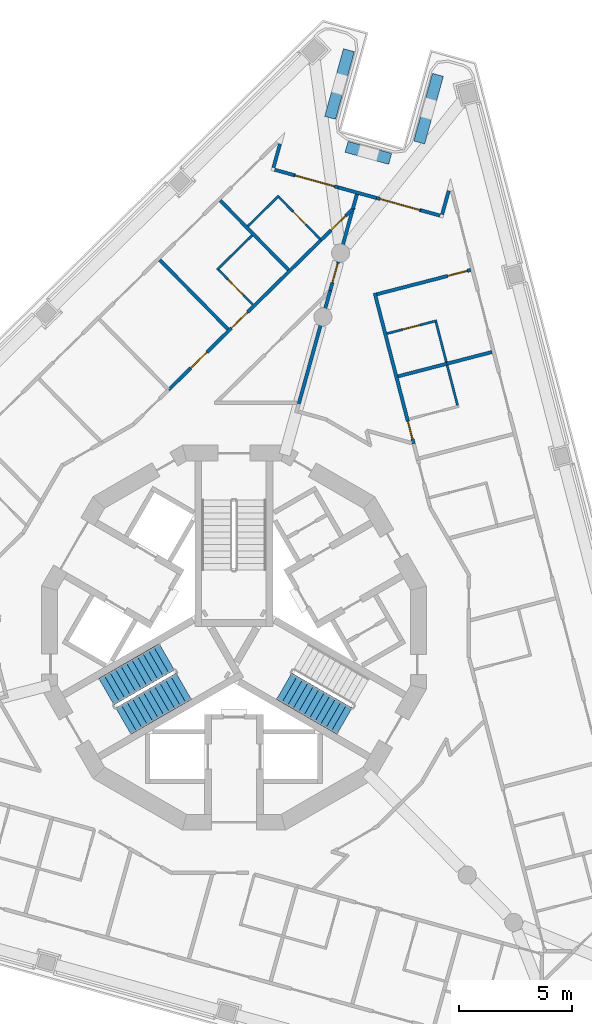
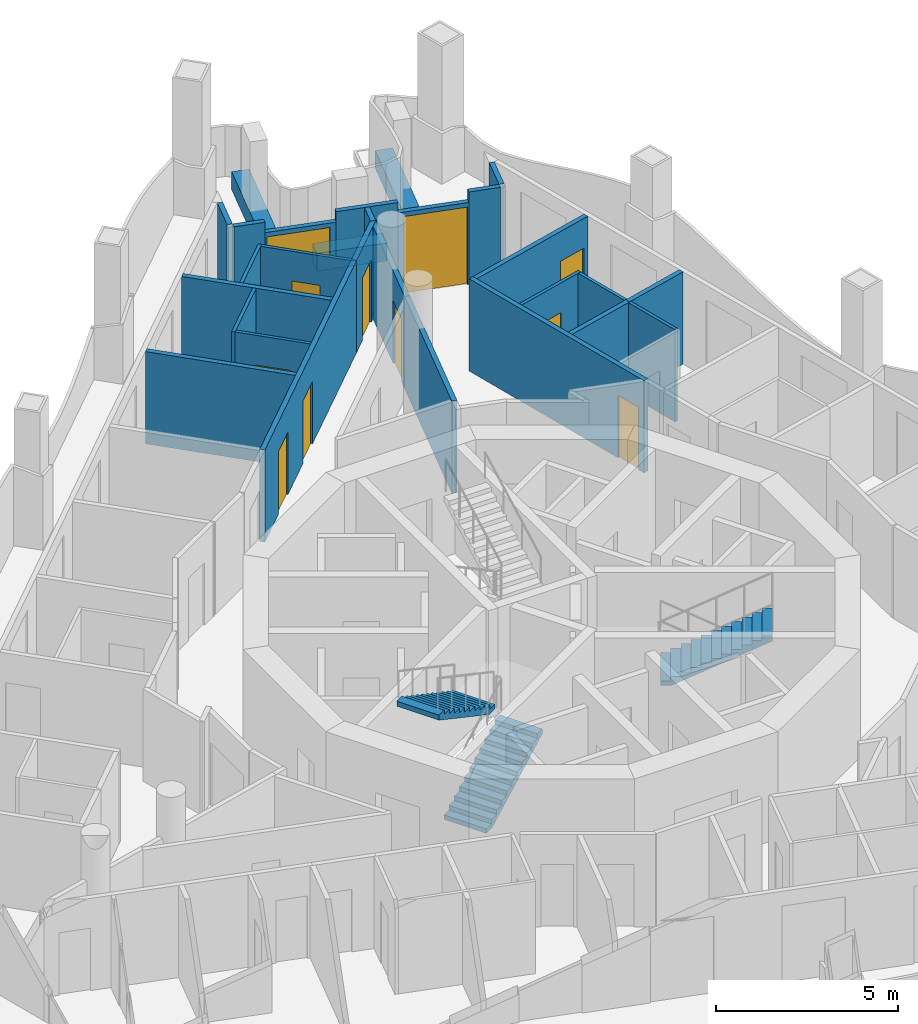
# One storey, part 8 of 15: 28 walls, 11 doors, 3 stair flights, 11 openings, 2 elements without a shape of their own.
"""IFC4 building model written with IfcOpenShell, lengths in metres."""

from ifc_helpers import new_model, si_unit, direction, frame, frame_2d, origin, place, context, subcontext, project, spatial, polyline, rectangle, outline, extrude, material, layer, layer_set, type_object, element, fill, aggregate, save


model = new_model("IFC4")

# Units and contexts
model_context = context("Model", 3, precision=1e-05, world=origin(), true_north=direction((0.0, 1.0)))
body_context = subcontext(model_context, "Body", "Model", "MODEL_VIEW")
ifc_project = project(units=[si_unit("LENGTHUNIT", "METRE"), si_unit("AREAUNIT", "SQUARE_METRE"), si_unit("VOLUMEUNIT", "CUBIC_METRE"), si_unit("PLANEANGLEUNIT", "RADIAN"), si_unit("MASSUNIT", "GRAM", prefix="KILO")], contexts=[model_context])

# Site, building, storey
site_placement = place(None, origin())
site = spatial("IfcSite", under=ifc_project, at=site_placement, CompositionType="ELEMENT")
building_placement = place(site_placement, origin())
building = spatial("IfcBuilding", under=site, at=building_placement, Name="Trine Commons Tower", CompositionType="ELEMENT")
storey_placement = place(building_placement, frame((0.0, 0.0, 263.699951171875)))
storey = spatial("IfcBuildingStorey", under=building, at=storey_placement, Name="L69", CompositionType="ELEMENT", Elevation=263.699951171875)

# Walls
ifc_material_1 = material(Name="Aluminium-framed insulated wall panel", Category="aluminium")
ifc_layer_1 = layer(ifc_material_1, 0.14990234375)
ifc_layer_set_1 = layer_set([ifc_layer_1], Name="Aluminium-framed insulated wall panel")
wall_type_1 = type_object("IfcWallType", Name="Glazed frame wall 150, EI 60", PredefinedType="SOLIDWALL", material=ifc_layer_set_1)
wall_1_placement = place(storey_placement, frame((82.07470703125, 84.444091796875, 0.0), z_axis=(0.0, 0.0, 1.0), x_axis=(-0.267185113528, -0.963645222636, 0.0)))
element("IfcWall", 1, at=wall_1_placement, inside=storey, type_object=wall_type_1, Name="Glazed frame wall R2", PredefinedType="SOLIDWALL", context=body_context, shape_type="SweptSolid", body=[
    extrude(outline(polyline([(0.1494140625, 0.074951171875), (0.1494140625, -0.074951171875), (1.235107421875, -0.074951171875), (1.235107421875, 0.074951171875), (0.1494140625, 0.074951171875)])), origin(), (0.0, 0.0, 1.0), 3.10009765625),
])
wall_2_placement = place(storey_placement, frame((81.69091796875, 83.19091796875, 0.0), z_axis=(0.0, 0.0, 1.0), x_axis=(0.963668166343, -0.267102349627, 0.0)))
element("IfcWall", 2, at=wall_2_placement, inside=storey, type_object=wall_type_1, Name="Glazed frame wall P1.1", PredefinedType="SOLIDWALL", context=body_context, shape_type="SweptSolid", body=[
    extrude(outline(polyline([(0.110107421875, -0.074951171875), (1.0, -0.074951171875), (1.0, 0.074951171875), (0.110107421875, 0.074951171875), (0.110107421875, -0.074951171875)])), origin(), (0.0, 0.0, 1.0), 3.10009765625),
])

# Wall, opening, door
wall_3_placement = place(storey_placement, frame((82.654541015625, 82.923828125, 0.0), z_axis=(0.0, 0.0, 1.0), x_axis=(0.963623378646, -0.267263884816, 0.0)))
wall_3 = element("IfcWall", 3, at=wall_3_placement, inside=storey, type_object=wall_type_1, Name="Glazed frame wall P1.2", PredefinedType="SOLIDWALL", context=body_context, shape_type="SweptSolid", body=[
    extrude(outline(polyline([(0.0, -0.074951171875), (2.021484375, -0.074951171875), (2.021484375, 0.074951171875), (0.0, 0.074951171875), (0.0, -0.074951171875)])), origin(), (0.0, 0.0, 1.0), 2.75),
])
opening_1_placement = place(wall_3_placement, frame((0.050048828125, 0.0, 0.0)))
opening_1 = element("IfcOpeningElement", 4, at=opening_1_placement, cuts=wall_3, Name="Opening BD-7P1-01", PredefinedType="OPENING", context=body_context, shape_type="SweptSolid", body=[
    extrude(rectangle(XDim=1.800048828125, YDim=2.60009765625, at=frame_2d((0.89990234375, 1.300048828125))), frame((0.0, 0.0849609375, 0.0), z_axis=(0.0, -1.0, 0.0), x_axis=(1.0, 0.0, 0.0)), (0.0, 0.0, 1.0), 0.169921875),
])
ifc_material_2 = material(Name="Anodised aluminium frame with double glazing", Category="aluminium")
door_type_1 = type_object("IfcDoorType", Name="Sliding loggia door 1800x2600", OperationType="SLIDING_TO_LEFT", PredefinedType="DOOR", material=ifc_material_2)
door_1_placement = place(opening_1_placement, origin())
door_1 = element("IfcDoor", 5, at=door_1_placement, inside=storey, type_object=door_type_1, Name="Loggia door P1 1", OperationType="SLIDING_TO_LEFT", OverallHeight=2.60009765625, OverallWidth=1.800048828125, PredefinedType="DOOR", context=body_context, shape_type="SweptSolid", body=[
    extrude(rectangle(XDim=1.800048828125, YDim=2.60009765625, at=frame_2d((0.89990234375, 1.300048828125))), frame((0.0, 0.02490234375, 0.0), z_axis=(0.0, -1.0, 0.0), x_axis=(1.0, 0.0, 0.0)), (0.0, 0.0, 1.0), 0.050048828125),
])
fill(opening_1, door_1)

# Wall
wall_4_placement = place(storey_placement, frame((84.6025390625, 82.383544921875, 0.0), z_axis=(0.0, 0.0, 1.0), x_axis=(0.963649164221, -0.267170897174, 0.0)))
element("IfcWall", 6, at=wall_4_placement, inside=storey, type_object=wall_type_1, Name="Glazed frame wall P1.3", PredefinedType="SOLIDWALL", context=body_context, shape_type="SweptSolid", body=[
    extrude(outline(polyline([(0.0, -0.074951171875), (1.757080078125, -0.074951171875), (1.757080078125, 0.074951171875), (0.0, 0.074951171875), (0.0, -0.074951171875)])), origin(), (0.0, 0.0, 1.0), 3.10009765625),
])

# Wall, opening, door
wall_5_placement = place(storey_placement, frame((86.2958984375, 81.9140625, 0.0), z_axis=(0.0, 0.0, 1.0), x_axis=(0.963614750545, -0.267294991596, 0.0)))
wall_5 = element("IfcWall", 7, at=wall_5_placement, inside=storey, type_object=wall_type_1, Name="Glazed frame wall P1.4", PredefinedType="SOLIDWALL", context=body_context, shape_type="SweptSolid", body=[
    extrude(outline(polyline([(0.0, -0.074951171875), (2.021484375, -0.074951171875), (2.021484375, 0.074951171875), (0.0, 0.074951171875), (0.0, -0.074951171875)])), origin(), (0.0, 0.0, 1.0), 2.75),
])
opening_2_placement = place(wall_5_placement, frame((0.17138671875, 0.0, 0.0)))
opening_2 = element("IfcOpeningElement", 8, at=opening_2_placement, cuts=wall_5, Name="Opening BD-7P1-02", PredefinedType="OPENING", context=body_context, shape_type="SweptSolid", body=[
    extrude(rectangle(XDim=1.800048828125, YDim=2.60009765625, at=frame_2d((0.89990234375, 1.300048828125))), frame((0.0, 0.0849609375, 0.0), z_axis=(0.0, -1.0, 0.0), x_axis=(1.0, 0.0, 0.0)), (0.0, 0.0, 1.0), 0.169921875),
])
door_2_placement = place(opening_2_placement, origin())
door_2 = element("IfcDoor", 9, at=door_2_placement, inside=storey, type_object=door_type_1, Name="Loggia door P1 2", OperationType="SLIDING_TO_LEFT", OverallHeight=2.60009765625, OverallWidth=1.800048828125, PredefinedType="DOOR", context=body_context, shape_type="SweptSolid", body=[
    extrude(rectangle(XDim=1.800048828125, YDim=2.60009765625, at=frame_2d((0.89990234375, 1.300048828125))), frame((0.0, 0.02490234375, 0.0), z_axis=(0.0, -1.0, 0.0), x_axis=(1.0, 0.0, 0.0)), (0.0, 0.0, 1.0), 0.050048828125),
])
fill(opening_2, door_2)

# Walls
wall_6_placement = place(storey_placement, frame((88.24365234375, 81.373779296875, 0.0), z_axis=(0.0, 0.0, 1.0), x_axis=(0.963668166343, -0.267102349627, 0.0)))
element("IfcWall", 10, at=wall_6_placement, inside=storey, type_object=wall_type_1, Name="Glazed frame wall P1.5", PredefinedType="SOLIDWALL", context=body_context, shape_type="SweptSolid", body=[
    extrude(outline(polyline([(0.889892578125, 0.074951171875), (0.0, 0.074951171875), (0.0, -0.074951171875), (0.889892578125, -0.074951171875), (0.889892578125, 0.074951171875)])), origin(), (0.0, 0.0, 1.0), 3.10009765625),
])
wall_7_placement = place(storey_placement, frame((89.164306640625, 81.082275390625, 0.0), z_axis=(0.0, 0.0, 1.0), x_axis=(0.267185113528, 0.963645222636, 0.0)))
element("IfcWall", 11, at=wall_7_placement, inside=storey, type_object=wall_type_1, Name="Glazed frame wall R4", PredefinedType="SOLIDWALL", context=body_context, shape_type="SweptSolid", body=[
    extrude(outline(polyline([(0.110107421875, 0.074951171875), (0.110107421875, -0.074951171875), (1.19580078125, -0.074951171875), (1.19580078125, 0.074951171875), (0.110107421875, 0.074951171875)])), origin(), (0.0, 0.0, 1.0), 3.10009765625),
])
ifc_material_3 = material(Name="Planter trough, precast concrete C40/50", Category="concrete")
ifc_layer_2 = layer(ifc_material_3, 0.5)
ifc_layer_set_2 = layer_set([ifc_layer_2], Name="Planter trough, precast concrete C40/50")
wall_type_2 = type_object("IfcWallType", Name="Planter trough 500x600", PredefinedType="PARAPET", material=ifc_layer_set_2)
wall_8_placement = place(storey_placement, frame((85.077392578125, 88.44189453125, 0.0), z_axis=(0.0, 0.0, 1.0), x_axis=(-0.267286412249, -0.96361713031, 0.0)))
element("IfcWall", 12, at=wall_8_placement, inside=storey, type_object=wall_type_2, Name="Planter 4", PredefinedType="PARAPET", context=body_context, shape_type="SweptSolid", body=[
    extrude(rectangle(XDim=3.10009765625, YDim=0.5, at=frame_2d((1.550048828125, 0.0))), origin(), (0.0, 0.0, 1.0), 0.60009765625),
])
wall_9_placement = place(storey_placement, frame((84.97314453125, 84.174560546875, 0.0), z_axis=(0.0, 0.0, 1.0), x_axis=(0.963636738571, -0.267215710759, 0.0)))
element("IfcWall", 13, at=wall_9_placement, inside=storey, type_object=wall_type_2, Name="Planter 5", PredefinedType="PARAPET", context=body_context, shape_type="SweptSolid", body=[
    extrude(rectangle(XDim=2.0, YDim=0.5, at=frame_2d((1.0, 0.0))), origin(), (0.0, 0.0, 1.0), 0.60009765625),
])
wall_10_placement = place(storey_placement, frame((88.1806640625, 84.364501953125, 0.0), z_axis=(0.0, 0.0, 1.0), x_axis=(0.267213283561, 0.963637411628, 0.0)))
element("IfcWall", 14, at=wall_10_placement, inside=storey, type_object=wall_type_2, Name="Planter 6", PredefinedType="PARAPET", context=body_context, shape_type="SweptSolid", body=[
    extrude(rectangle(XDim=3.10009765625, YDim=0.5, at=frame_2d((1.550048828125, 0.0))), origin(), (0.0, 0.0, 1.0), 0.60009765625),
])
ifc_material_4 = material(Name="Gypsum plasterboard on steel stud", Category="steel")
ifc_layer_3 = layer(ifc_material_4, 0.14990234375)
ifc_layer_set_3 = layer_set([ifc_layer_3], Name="Gypsum plasterboard on steel stud")
wall_type_3 = type_object("IfcWallType", Name="Unit and corridor wall 150 mm, EI 60", PredefinedType="PARTITIONING", material=ifc_layer_set_3)
wall_11_placement = place(storey_placement, frame((76.72998046875, 79.177490234375, 0.0), z_axis=(0.0, 0.0, 1.0), x_axis=(0.70095501421, -0.713205487958, 0.0)))
element("IfcWall", 15, at=wall_11_placement, inside=storey, type_object=wall_type_3, Name="Partition 049", PredefinedType="PARTITIONING", context=body_context, shape_type="SweptSolid", body=[
    extrude(rectangle(XDim=4.28466796875, YDim=0.14990234375, at=frame_2d((2.142333984375, 0.0))), origin(), (0.0, 0.0, 1.0), 3.10009765625),
])

# Wall, openings, doors
wall_12_placement = place(storey_placement, frame((77.114013671875, 73.44189453125, 0.0), z_axis=(0.0, 0.0, 1.0), x_axis=(0.713226576119, 0.70093355685, 0.0)))
wall_12 = element("IfcWall", 16, at=wall_12_placement, inside=storey, type_object=wall_type_3, Name="Partition 050", PredefinedType="PARTITIONING", context=body_context, shape_type="SweptSolid", body=[
    extrude(rectangle(XDim=9.4931640625, YDim=0.14990234375, at=frame_2d((4.74658203125, 0.0))), origin(), (0.0, 0.0, 1.0), 3.10009765625),
])
opening_3_placement = place(wall_12_placement, frame((1.375, 0.0, 0.0)))
opening_3 = element("IfcOpeningElement", 17, at=opening_3_placement, cuts=wall_12, Name="Opening D-7C08", PredefinedType="OPENING", context=body_context, shape_type="SweptSolid", body=[
    extrude(rectangle(XDim=1.0, YDim=2.10009765625, at=frame_2d((0.5, 1.050048828125))), frame((0.0, 0.0849609375, 0.0), z_axis=(0.0, -1.0, 0.0), x_axis=(1.0, 0.0, 0.0)), (0.0, 0.0, 1.0), 0.169921875),
])
opening_4_placement = place(wall_12_placement, frame((3.896484375, 0.0, 0.0)))
opening_4 = element("IfcOpeningElement", 18, at=opening_4_placement, cuts=wall_12, Name="Opening D-7C09", PredefinedType="OPENING", context=body_context, shape_type="SweptSolid", body=[
    extrude(rectangle(XDim=1.0, YDim=2.10009765625, at=frame_2d((0.5, 1.050048828125))), frame((0.0, 0.0849609375, 0.0), z_axis=(0.0, -1.0, 0.0), x_axis=(1.0, 0.0, 0.0)), (0.0, 0.0, 1.0), 0.169921875),
])
ifc_material_5 = material(Name="Painted timber", Category="wood")
door_type_2 = type_object("IfcDoorType", Name="Amenity room door 1000 x 2100, NOT RATED", OperationType="NOTDEFINED", PredefinedType="DOOR", material=ifc_material_5)
door_3_placement = place(opening_3_placement, origin())
door_3 = element("IfcDoor", 19, at=door_3_placement, inside=storey, type_object=door_type_2, Name="Door D-7C08", OperationType="SINGLE_SWING_LEFT", OverallHeight=2.10009765625, OverallWidth=1.0, PredefinedType="DOOR", context=body_context, shape_type="SweptSolid", body=[
    extrude(rectangle(XDim=1.0, YDim=2.10009765625, at=frame_2d((0.5, 1.050048828125))), frame((0.0, 0.02490234375, 0.0), z_axis=(0.0, -1.0, 0.0), x_axis=(1.0, 0.0, 0.0)), (0.0, 0.0, 1.0), 0.050048828125),
])
fill(opening_3, door_3)
ifc_material_6 = material(Name="Timber fire door set", Category="wood")
door_type_3 = type_object("IfcDoorType", Name="Bedroom door 1000 x 2100, FD30S", OperationType="NOTDEFINED", PredefinedType="DOOR", material=ifc_material_6)
door_4_placement = place(opening_4_placement, origin())
door_4 = element("IfcDoor", 20, at=door_4_placement, inside=storey, type_object=door_type_3, Name="Door D-7C09", OperationType="SINGLE_SWING_LEFT", OverallHeight=2.10009765625, OverallWidth=1.0, PredefinedType="DOOR", context=body_context, shape_type="SweptSolid", body=[
    extrude(rectangle(XDim=1.0, YDim=2.10009765625, at=frame_2d((0.5, 1.050048828125))), frame((0.0, 0.02490234375, 0.0), z_axis=(0.0, -1.0, 0.0), x_axis=(1.0, 0.0, 0.0)), (0.0, 0.0, 1.0), 0.050048828125),
])
fill(opening_4, door_4)

# Walls
wall_13_placement = place(storey_placement, frame((79.39892578125, 81.801513671875, 0.0), z_axis=(0.0, 0.0, 1.0), x_axis=(0.70095501421, -0.713205487958, 0.0)))
element("IfcWall", 21, at=wall_13_placement, inside=storey, type_object=wall_type_3, Name="Partition 057", PredefinedType="PARTITIONING", context=body_context, shape_type="SweptSolid", body=[
    extrude(rectangle(XDim=4.28466796875, YDim=0.14990234375, at=frame_2d((2.142333984375, 0.0))), origin(), (0.0, 0.0, 1.0), 3.10009765625),
])
wall_14_placement = place(storey_placement, frame((82.863037109375, 72.822998046875, 0.0), z_axis=(0.0, 0.0, 1.0), x_axis=(0.267297315726, 0.963614105857, 0.0)))
element("IfcWall", 22, at=wall_14_placement, inside=storey, type_object=wall_type_3, Name="Partition 068", PredefinedType="PARTITIONING", context=body_context, shape_type="SweptSolid", body=[
    extrude(rectangle(XDim=5.196044921875, YDim=0.14990234375, at=frame_2d((2.59814453125, 0.0))), origin(), (0.0, 0.0, 1.0), 3.10009765625),
])

# Wall, opening, door
wall_15_placement = place(storey_placement, frame((83.843017578125, 80.054931640625, 0.0), z_axis=(0.0, 0.0, 1.0), x_axis=(0.713089099399, 0.70107341721, 0.0)))
wall_15 = element("IfcWall", 23, at=wall_15_placement, inside=storey, type_object=wall_type_3, Name="Partition 070", PredefinedType="PARTITIONING", context=body_context, shape_type="SweptSolid", body=[
    extrude(rectangle(XDim=2.05224609375, YDim=0.14990234375, at=frame_2d((1.026123046875, 0.0))), origin(), (0.0, 0.0, 1.0), 3.10009765625),
])
opening_5_placement = place(wall_15_placement, frame((0.627685546875, 0.0, 0.0)))
opening_5 = element("IfcOpeningElement", 24, at=opening_5_placement, cuts=wall_15, Name="Opening D-7C10", PredefinedType="OPENING", context=body_context, shape_type="SweptSolid", body=[
    extrude(rectangle(XDim=0.89990234375, YDim=2.10009765625, at=frame_2d((0.449951171875, 1.050048828125))), frame((0.0, 0.0849609375, 0.0), z_axis=(0.0, -1.0, 0.0), x_axis=(1.0, 0.0, 0.0)), (0.0, 0.0, 1.0), 0.169921875),
])
door_type_4 = type_object("IfcDoorType", Name="Bedroom door 900 x 2100, FD30S", OperationType="NOTDEFINED", PredefinedType="DOOR", material=ifc_material_6)
door_5_placement = place(opening_5_placement, origin())
door_5 = element("IfcDoor", 25, at=door_5_placement, inside=storey, type_object=door_type_4, Name="Door D-7C10", OperationType="SINGLE_SWING_RIGHT", OverallHeight=2.10009765625, OverallWidth=0.89990234375, PredefinedType="DOOR", context=body_context, shape_type="SweptSolid", body=[
    extrude(rectangle(XDim=0.89990234375, YDim=2.10009765625, at=frame_2d((0.449951171875, 1.050048828125))), frame((0.0, 0.02490234375, 0.0), z_axis=(0.0, -1.0, 0.0), x_axis=(1.0, 0.0, 0.0)), (0.0, 0.0, 1.0), 0.050048828125),
])
fill(opening_5, door_5)

wall_16_placement = place(storey_placement, frame((84.25, 77.826904296875, 0.0), z_axis=(0.0, 0.0, 1.0), x_axis=(0.267414329718, 0.963581639645, 0.0)))
wall_16 = element("IfcWall", 26, at=wall_16_placement, inside=storey, type_object=wall_type_3, Name="Partition 073", PredefinedType="PARTITIONING", context=body_context, shape_type="SweptSolid", body=[
    extrude(rectangle(XDim=3.675537109375, YDim=0.14990234375, at=frame_2d((1.837890625, 0.0))), origin(), (0.0, 0.0, 1.0), 3.10009765625),
])
opening_6_placement = place(wall_16_placement, frame((0.357421875, 0.0, 0.0)))
opening_6 = element("IfcOpeningElement", 27, at=opening_6_placement, cuts=wall_16, Name="Opening D-7C01", PredefinedType="OPENING", context=body_context, shape_type="SweptSolid", body=[
    extrude(rectangle(XDim=0.89990234375, YDim=2.10009765625, at=frame_2d((0.449951171875, 1.050048828125))), frame((0.0, 0.0849609375, 0.0), z_axis=(0.0, -1.0, 0.0), x_axis=(1.0, 0.0, 0.0)), (0.0, 0.0, 1.0), 0.169921875),
])
door_type_5 = type_object("IfcDoorType", Name="Cluster entrance door 900 x 2100, FD30S", OperationType="NOTDEFINED", PredefinedType="DOOR", material=ifc_material_6)
door_6_placement = place(opening_6_placement, frame((0.89990234375, 0.0, 0.0), z_axis=(0.0, 0.0, 1.0), x_axis=(-1.0, 0.0, 0.0)))
door_6 = element("IfcDoor", 28, at=door_6_placement, inside=storey, type_object=door_type_5, Name="Door D-7C01", OperationType="SINGLE_SWING_RIGHT", OverallHeight=2.10009765625, OverallWidth=0.89990234375, PredefinedType="DOOR", context=body_context, shape_type="SweptSolid", body=[
    extrude(rectangle(XDim=0.89990234375, YDim=2.10009765625, at=frame_2d((0.449951171875, 1.050048828125))), frame((0.0, 0.02490234375, 0.0), z_axis=(0.0, -1.0, 0.0), x_axis=(1.0, 0.0, 0.0)), (0.0, 0.0, 1.0), 0.050048828125),
])
fill(opening_6, door_6)

# Wall
wall_17_placement = place(storey_placement, frame((85.25, 81.429931640625, 0.0), z_axis=(0.0, 0.0, 1.0), x_axis=(0.267118275652, 0.963663751945, 0.0)))
element("IfcWall", 29, at=wall_17_placement, inside=storey, type_object=wall_type_3, Name="Partition 078", PredefinedType="PARTITIONING", context=body_context, shape_type="SweptSolid", body=[
    extrude(rectangle(XDim=0.6708984375, YDim=0.14990234375, at=frame_2d((0.33544921875, 0.0))), origin(), (0.0, 0.0, 1.0), 3.10009765625),
])

# Wall, opening, door
wall_18_placement = place(storey_placement, frame((86.21630859375, 77.716552734375, 0.0), z_axis=(0.0, 0.0, 1.0), x_axis=(0.250346637717, -0.968156268886, 0.0)))
wall_18 = element("IfcWall", 30, at=wall_18_placement, inside=storey, type_object=wall_type_3, Name="Partition 081", PredefinedType="PARTITIONING", context=body_context, shape_type="SweptSolid", body=[
    extrude(rectangle(XDim=6.869384765625, YDim=0.14990234375, at=frame_2d((3.4345703125, 0.0))), origin(), (0.0, 0.0, 1.0), 3.10009765625),
])
opening_7_placement = place(wall_18_placement, frame((5.84814453125, 0.0, 0.0)))
opening_7 = element("IfcOpeningElement", 31, at=opening_7_placement, cuts=wall_18, Name="Opening D-7C12", PredefinedType="OPENING", context=body_context, shape_type="SweptSolid", body=[
    extrude(rectangle(XDim=0.800048828125, YDim=2.10009765625, at=frame_2d((0.39990234375, 1.050048828125))), frame((0.0, 0.0849609375, 0.0), z_axis=(0.0, -1.0, 0.0), x_axis=(1.0, 0.0, 0.0)), (0.0, 0.0, 1.0), 0.169921875),
])
door_type_6 = type_object("IfcDoorType", Name="Bedroom door 800 x 2100, FD30S", OperationType="NOTDEFINED", PredefinedType="DOOR", material=ifc_material_6)
door_7_placement = place(opening_7_placement, origin())
door_7 = element("IfcDoor", 32, at=door_7_placement, inside=storey, type_object=door_type_6, Name="Door D-7C12", OperationType="SINGLE_SWING_RIGHT", OverallHeight=2.10009765625, OverallWidth=0.800048828125, PredefinedType="DOOR", context=body_context, shape_type="SweptSolid", body=[
    extrude(rectangle(XDim=0.800048828125, YDim=2.10009765625, at=frame_2d((0.39990234375, 1.050048828125))), frame((0.0, 0.02490234375, 0.0), z_axis=(0.0, -1.0, 0.0), x_axis=(1.0, 0.0, 0.0)), (0.0, 0.0, 1.0), 0.050048828125),
])
fill(opening_7, door_7)

wall_19_placement = place(storey_placement, frame((86.3076171875, 77.662841796875, 0.0), z_axis=(0.0, 0.0, 1.0), x_axis=(0.96817048695, 0.250291646282, 0.0)))
wall_19 = element("IfcWall", 33, at=wall_19_placement, inside=storey, type_object=wall_type_3, Name="Partition 082", PredefinedType="PARTITIONING", context=body_context, shape_type="SweptSolid", body=[
    extrude(rectangle(XDim=4.2841796875, YDim=0.14990234375, at=frame_2d((2.14208984375, 0.0))), origin(), (0.0, 0.0, 1.0), 3.10009765625),
])
opening_8_placement = place(wall_19_placement, frame((3.23388671875, 0.0, 0.0)))
opening_8 = element("IfcOpeningElement", 34, at=opening_8_placement, cuts=wall_19, Name="Opening D-7C11", PredefinedType="OPENING", context=body_context, shape_type="SweptSolid", body=[
    extrude(rectangle(XDim=0.89990234375, YDim=2.10009765625, at=frame_2d((0.449951171875, 1.050048828125))), frame((0.0, 0.0849609375, 0.0), z_axis=(0.0, -1.0, 0.0), x_axis=(1.0, 0.0, 0.0)), (0.0, 0.0, 1.0), 0.169921875),
])
door_8_placement = place(opening_8_placement, frame((0.89990234375, 0.0, 0.0), z_axis=(0.0, 0.0, 1.0), x_axis=(-1.0, 0.0, 0.0)))
door_8 = element("IfcDoor", 35, at=door_8_placement, inside=storey, type_object=door_type_4, Name="Door D-7C11", OperationType="SINGLE_SWING_LEFT", OverallHeight=2.10009765625, OverallWidth=0.89990234375, PredefinedType="DOOR", context=body_context, shape_type="SweptSolid", body=[
    extrude(rectangle(XDim=0.89990234375, YDim=2.10009765625, at=frame_2d((0.449951171875, 1.050048828125))), frame((0.0, 0.02490234375, 0.0), z_axis=(0.0, -1.0, 0.0), x_axis=(1.0, 0.0, 0.0)), (0.0, 0.0, 1.0), 0.050048828125),
])
fill(opening_8, door_8)

# Walls
wall_20_placement = place(storey_placement, frame((87.24462890625, 74.038818359375, 0.0), z_axis=(0.0, 0.0, 1.0), x_axis=(0.968121216345, 0.250482155975, 0.0)))
element("IfcWall", 36, at=wall_20_placement, inside=storey, type_object=wall_type_3, Name="Partition 086", PredefinedType="PARTITIONING", context=body_context, shape_type="SweptSolid", body=[
    extrude(rectangle(XDim=2.22412109375, YDim=0.14990234375, at=frame_2d((1.112060546875, 0.0))), origin(), (0.0, 0.0, 1.0), 3.10009765625),
])
wall_21_placement = place(storey_placement, frame((89.39794921875, 74.595947265625, 0.0), z_axis=(0.0, 0.0, 1.0), x_axis=(0.968138494735, 0.250415364966, 0.0)))
element("IfcWall", 37, at=wall_21_placement, inside=storey, type_object=wall_type_3, Name="Partition 104", PredefinedType="PARTITIONING", context=body_context, shape_type="SweptSolid", body=[
    extrude(rectangle(XDim=2.06103515625, YDim=0.14990234375, at=frame_2d((1.030517578125, 0.0))), origin(), (0.0, 0.0, 1.0), 3.10009765625),
])
ifc_layer_4 = layer(ifc_material_4, 0.10009765625)
ifc_layer_set_4 = layer_set([ifc_layer_4], Name="Gypsum plasterboard on steel stud")
wall_type_4 = type_object("IfcWallType", Name="Unit partition 100 mm, no rating", PredefinedType="PARTITIONING", material=ifc_layer_set_4)
wall_22_placement = place(storey_placement, frame((79.252197265625, 78.740966796875, 0.0), z_axis=(0.0, 0.0, 1.0), x_axis=(0.713253726978, 0.700905928746, 0.0)))
element("IfcWall", 38, at=wall_22_placement, inside=storey, type_object=wall_type_4, Name="Partition 055", PredefinedType="PARTITIONING", context=body_context, shape_type="SweptSolid", body=[
    extrude(rectangle(XDim=2.1748046875, YDim=0.10009765625, at=frame_2d((1.08740234375, 0.0))), origin(), (0.0, 0.0, 1.0), 3.10009765625),
])

# Wall, opening, door
wall_23_placement = place(storey_placement, frame((79.322998046875, 78.740234375, 0.0), z_axis=(0.0, 0.0, 1.0), x_axis=(0.701018971953, -0.713142623157, 0.0)))
wall_23 = element("IfcWall", 39, at=wall_23_placement, inside=storey, type_object=wall_type_4, Name="Partition 056", PredefinedType="PARTITIONING", context=body_context, shape_type="SweptSolid", body=[
    extrude(rectangle(XDim=2.15478515625, YDim=0.10009765625, at=frame_2d((1.077392578125, 0.0))), origin(), (0.0, 0.0, 1.0), 3.10009765625),
])
opening_9_placement = place(wall_23_placement, frame((0.577392578125, 0.0, 0.0)))
opening_9 = element("IfcOpeningElement", 40, at=opening_9_placement, cuts=wall_23, Name="Opening D-7C31", PredefinedType="OPENING", context=body_context, shape_type="SweptSolid", body=[
    extrude(rectangle(XDim=1.0, YDim=2.10009765625, at=frame_2d((0.5, 1.050048828125))), frame((0.0, 0.06005859375, 0.0), z_axis=(0.0, -1.0, 0.0), x_axis=(1.0, 0.0, 0.0)), (0.0, 0.0, 1.0), 0.1201171875),
])
door_type_7 = type_object("IfcDoorType", Name="Internal door 1000 x 2100, NOT RATED", OperationType="NOTDEFINED", PredefinedType="DOOR", material=ifc_material_5)
door_9_placement = place(opening_9_placement, frame((1.0, 0.0, 0.0), z_axis=(0.0, 0.0, 1.0), x_axis=(-1.0, 0.0, 0.0)))
door_9 = element("IfcDoor", 41, at=door_9_placement, inside=storey, type_object=door_type_7, Name="Door D-7C31", OperationType="SINGLE_SWING_RIGHT", OverallHeight=2.10009765625, OverallWidth=1.0, PredefinedType="DOOR", context=body_context, shape_type="SweptSolid", body=[
    extrude(rectangle(XDim=1.0, YDim=2.10009765625, at=frame_2d((0.5, 1.050048828125))), frame((0.0, 0.02490234375, 0.0), z_axis=(0.0, -1.0, 0.0), x_axis=(1.0, 0.0, 0.0)), (0.0, 0.0, 1.0), 0.050048828125),
])
fill(opening_9, door_9)

# Wall
wall_24_placement = place(storey_placement, frame((80.616455078125, 80.669677734375, 0.0), z_axis=(0.0, 0.0, 1.0), x_axis=(0.713293055377, 0.700865905257, 0.0)))
element("IfcWall", 42, at=wall_24_placement, inside=storey, type_object=wall_type_4, Name="Partition 060", PredefinedType="PARTITIONING", context=body_context, shape_type="SweptSolid", body=[
    extrude(rectangle(XDim=1.92529296875, YDim=0.10009765625, at=frame_2d((0.962646484375, 0.0))), origin(), (0.0, 0.0, 1.0), 3.10009765625),
])

# Wall, opening, door
wall_25_placement = place(storey_placement, frame((81.989013671875, 81.9482421875, 0.0), z_axis=(0.0, 0.0, 1.0), x_axis=(0.700820910795, -0.713337263146, 0.0)))
wall_25 = element("IfcWall", 43, at=wall_25_placement, inside=storey, type_object=wall_type_4, Name="Partition 063", PredefinedType="PARTITIONING", context=body_context, shape_type="SweptSolid", body=[
    extrude(rectangle(XDim=2.57470703125, YDim=0.10009765625, at=frame_2d((1.287353515625, 0.0))), origin(), (0.0, 0.0, 1.0), 3.10009765625),
])
opening_10_placement = place(wall_25_placement, frame((0.887451171875, 0.0, 0.0)))
opening_10 = element("IfcOpeningElement", 44, at=opening_10_placement, cuts=wall_25, Name="Opening D-7C32", PredefinedType="OPENING", context=body_context, shape_type="SweptSolid", body=[
    extrude(rectangle(XDim=0.800048828125, YDim=2.10009765625, at=frame_2d((0.39990234375, 1.050048828125))), frame((0.0, 0.06005859375, 0.0), z_axis=(0.0, -1.0, 0.0), x_axis=(1.0, 0.0, 0.0)), (0.0, 0.0, 1.0), 0.1201171875),
])
door_type_8 = type_object("IfcDoorType", Name="Internal door 800 x 2100, NOT RATED", OperationType="NOTDEFINED", PredefinedType="DOOR", material=ifc_material_5)
door_10_placement = place(opening_10_placement, origin())
door_10 = element("IfcDoor", 45, at=door_10_placement, inside=storey, type_object=door_type_8, Name="Door D-7C32", OperationType="SINGLE_SWING_LEFT", OverallHeight=2.10009765625, OverallWidth=0.800048828125, PredefinedType="DOOR", context=body_context, shape_type="SweptSolid", body=[
    extrude(rectangle(XDim=0.800048828125, YDim=2.10009765625, at=frame_2d((0.39990234375, 1.050048828125))), frame((0.0, 0.02490234375, 0.0), z_axis=(0.0, -1.0, 0.0), x_axis=(1.0, 0.0, 0.0)), (0.0, 0.0, 1.0), 0.050048828125),
])
fill(opening_10, door_10)

wall_26_placement = place(storey_placement, frame((86.756591796875, 75.9267578125, 0.0), z_axis=(0.0, 0.0, 1.0), x_axis=(0.968107869502, 0.25053373627, 0.0)))
wall_26 = element("IfcWall", 46, at=wall_26_placement, inside=storey, type_object=wall_type_4, Name="Partition 085", PredefinedType="PARTITIONING", context=body_context, shape_type="SweptSolid", body=[
    extrude(rectangle(XDim=2.2744140625, YDim=0.10009765625, at=frame_2d((1.13720703125, 0.0))), origin(), (0.0, 0.0, 1.0), 3.10009765625),
])
opening_11_placement = place(wall_26_placement, frame((0.712158203125, 0.0, 0.0)))
opening_11 = element("IfcOpeningElement", 47, at=opening_11_placement, cuts=wall_26, Name="Opening D-7C33", PredefinedType="OPENING", context=body_context, shape_type="SweptSolid", body=[
    extrude(rectangle(XDim=0.800048828125, YDim=2.10009765625, at=frame_2d((0.39990234375, 1.050048828125))), frame((0.0, 0.06005859375, 0.0), z_axis=(0.0, -1.0, 0.0), x_axis=(1.0, 0.0, 0.0)), (0.0, 0.0, 1.0), 0.1201171875),
])
door_11_placement = place(opening_11_placement, origin())
door_11 = element("IfcDoor", 48, at=door_11_placement, inside=storey, type_object=door_type_8, Name="Door D-7C33", OperationType="SINGLE_SWING_LEFT", OverallHeight=2.10009765625, OverallWidth=0.800048828125, PredefinedType="DOOR", context=body_context, shape_type="SweptSolid", body=[
    extrude(rectangle(XDim=0.800048828125, YDim=2.10009765625, at=frame_2d((0.39990234375, 1.050048828125))), frame((0.0, 0.02490234375, 0.0), z_axis=(0.0, -1.0, 0.0), x_axis=(1.0, 0.0, 0.0)), (0.0, 0.0, 1.0), 0.050048828125),
])
fill(opening_11, door_11)

# Walls
wall_27_placement = place(storey_placement, frame((88.922607421875, 76.435546875, 0.0), z_axis=(0.0, 0.0, 1.0), x_axis=(0.250177423801, -0.968200008583, 0.0)))
element("IfcWall", 49, at=wall_27_placement, inside=storey, type_object=wall_type_4, Name="Partition 098", PredefinedType="PARTITIONING", context=body_context, shape_type="SweptSolid", body=[
    extrude(rectangle(XDim=1.824951171875, YDim=0.10009765625, at=frame_2d((0.91259765625, 0.0))), origin(), (0.0, 0.0, 1.0), 3.10009765625),
])
wall_28_placement = place(storey_placement, frame((89.416748046875, 74.5234375, 0.0), z_axis=(0.0, 0.0, 1.0), x_axis=(0.250771850977, -0.968046217263, 0.0)))
element("IfcWall", 50, at=wall_28_placement, inside=storey, type_object=wall_type_4, Name="Partition 103", PredefinedType="PARTITIONING", context=body_context, shape_type="SweptSolid", body=[
    extrude(rectangle(XDim=1.825439453125, YDim=0.10009765625, at=frame_2d((0.91259765625, 0.0))), origin(), (0.0, 0.0, 1.0), 3.10009765625),
])

# Stair, stair flights
ifc_material_7 = material(Name="Concrete C50/60", Category="concrete")
stair_type = type_object("IfcStairType", Name="Exit stair, dog-leg, 24 risers of 150 mm", PredefinedType="HALF_TURN_STAIR", material=ifc_material_7)
stair_1_placement = place(storey_placement, origin())
stair_1 = element("IfcStair", 51, at=stair_1_placement, inside=storey, type_object=stair_type, Name="L69 Exit stair ST2C", PredefinedType="HALF_TURN_STAIR")
stair_flight_type = type_object("IfcStairFlightType", Name="Stair flight, 1350 wide, 12 risers of 150 mm", PredefinedType="STRAIGHT", material=ifc_material_7)
stair_flight_1_placement = place(storey_placement, frame((75.11767578125, 58.815185546875, 0.0), z_axis=(0.0, 0.0, 1.0), x_axis=(0.866025403784, 0.5, 0.0)))
stair_flight_1 = element("IfcStairFlight", 52, at=stair_flight_1_placement, type_object=stair_flight_type, Name="ST2C flight 1", NumberOfRisers=12, NumberOfTreads=11, PredefinedType="STRAIGHT", RiserHeight=0.15, TreadLength=0.28, context=body_context, shape_type="SweptSolid", body=[
    extrude(outline(polyline([(0.0, 0.0), (0.0, 0.14990234375), (0.280029296875, 0.14990234375), (0.280029296875, 0.300048828125), (0.56005859375, 0.300048828125), (0.56005859375, 0.449951171875), (0.840087890625, 0.449951171875), (0.840087890625, 0.60009765625), (1.1201171875, 0.60009765625), (1.1201171875, 0.75), (1.39990234375, 0.75), (1.39990234375, 0.89990234375), (1.679931640625, 0.89990234375), (1.679931640625, 1.050048828125), (1.9599609375, 1.050048828125), (1.9599609375, 1.199951171875), (2.239990234375, 1.199951171875), (2.239990234375, 1.35009765625), (2.52001953125, 1.35009765625), (2.52001953125, 1.5), (2.800048828125, 1.5), (2.800048828125, 1.64990234375), (3.080078125, 1.64990234375), (3.080078125, 1.800048828125), (3.080078125, 1.47998046875), (0.3173828125, 0.0), (0.0, 0.0)])), frame((0.0, 0.675048828125, 0.0), z_axis=(0.0, -1.0, 0.0), x_axis=(1.0, 0.0, 0.0)), (0.0, 0.0, 1.0), 1.35009765625),
])
stair_flight_2_placement = place(storey_placement, frame((77.03515625, 61.654296875, 1.800048828125), z_axis=(0.0, 0.0, 1.0), x_axis=(-0.866025403784, -0.5, 0.0)))
stair_flight_2 = element("IfcStairFlight", 53, at=stair_flight_2_placement, type_object=stair_flight_type, Name="ST2C flight 2", NumberOfRisers=12, NumberOfTreads=11, PredefinedType="STRAIGHT", RiserHeight=0.15, TreadLength=0.28, context=body_context, shape_type="SweptSolid", body=[
    extrude(outline(polyline([(0.0, 0.0), (0.0, 0.14990234375), (0.280029296875, 0.14990234375), (0.280029296875, 0.300048828125), (0.56005859375, 0.300048828125), (0.56005859375, 0.449951171875), (0.840087890625, 0.449951171875), (0.840087890625, 0.60009765625), (1.1201171875, 0.60009765625), (1.1201171875, 0.75), (1.39990234375, 0.75), (1.39990234375, 0.89990234375), (1.679931640625, 0.89990234375), (1.679931640625, 1.050048828125), (1.9599609375, 1.050048828125), (1.9599609375, 1.199951171875), (2.239990234375, 1.199951171875), (2.239990234375, 1.35009765625), (2.52001953125, 1.35009765625), (2.52001953125, 1.5), (2.800048828125, 1.5), (2.800048828125, 1.64990234375), (3.080078125, 1.64990234375), (3.080078125, 1.800048828125), (3.080078125, 1.47998046875), (0.3173828125, 0.0), (0.0, 0.0)])), frame((0.0, 0.675048828125, 0.0), z_axis=(0.0, -1.0, 0.0), x_axis=(1.0, 0.0, 0.0)), (0.0, 0.0, 1.0), 1.35009765625),
])
aggregate(stair_1, [stair_flight_1, stair_flight_2])

# Stair, stair flight
stair_2_placement = place(storey_placement, origin())
stair_2 = element("IfcStair", 54, at=stair_2_placement, inside=storey, type_object=stair_type, Name="L69 Exit stair ST3C", PredefinedType="HALF_TURN_STAIR")
stair_flight_3_placement = place(storey_placement, frame((82.21484375, 60.355224609375, 1.800048828125), z_axis=(0.0, 0.0, 1.0), x_axis=(0.866025403784, -0.5, 0.0)))
stair_flight_3 = element("IfcStairFlight", 55, at=stair_flight_3_placement, type_object=stair_flight_type, Name="ST3C flight 2", NumberOfRisers=12, NumberOfTreads=11, PredefinedType="STRAIGHT", RiserHeight=0.15, TreadLength=0.28, context=body_context, shape_type="SweptSolid", body=[
    extrude(outline(polyline([(0.0, 0.0), (0.0, 0.14990234375), (0.280029296875, 0.14990234375), (0.280029296875, 0.300048828125), (0.56005859375, 0.300048828125), (0.56005859375, 0.449951171875), (0.840087890625, 0.449951171875), (0.840087890625, 0.60009765625), (1.1201171875, 0.60009765625), (1.1201171875, 0.75), (1.39990234375, 0.75), (1.39990234375, 0.89990234375), (1.679931640625, 0.89990234375), (1.679931640625, 1.050048828125), (1.9599609375, 1.050048828125), (1.9599609375, 1.199951171875), (2.239990234375, 1.199951171875), (2.239990234375, 1.35009765625), (2.52001953125, 1.35009765625), (2.52001953125, 1.5), (2.800048828125, 1.5), (2.800048828125, 1.64990234375), (3.080078125, 1.64990234375), (3.080078125, 1.800048828125), (3.080078125, 1.47998046875), (0.3173828125, 0.0), (0.0, 0.0)])), frame((0.0, 0.675048828125, 0.0), z_axis=(0.0, -1.0, 0.0), x_axis=(1.0, 0.0, 0.0)), (0.0, 0.0, 1.0), 1.35009765625),
])
aggregate(stair_2, [stair_flight_3])

save(model, "model.ifc")
